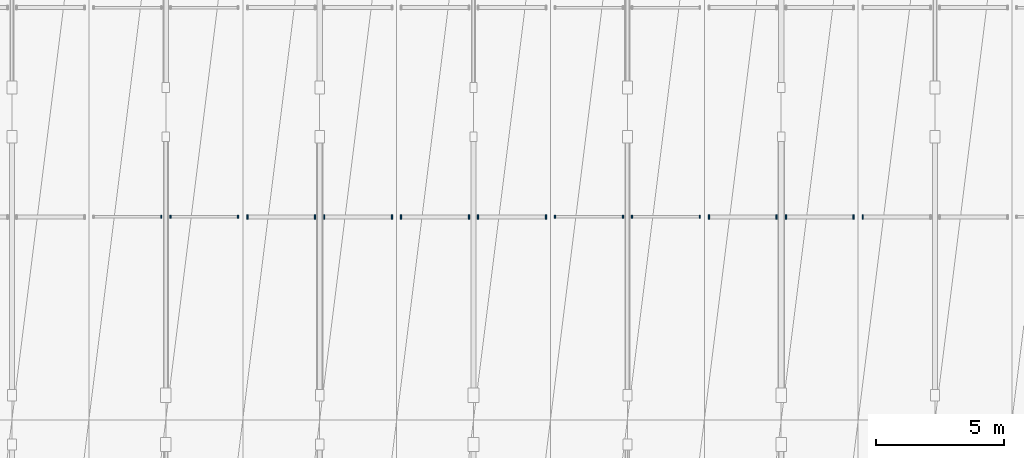
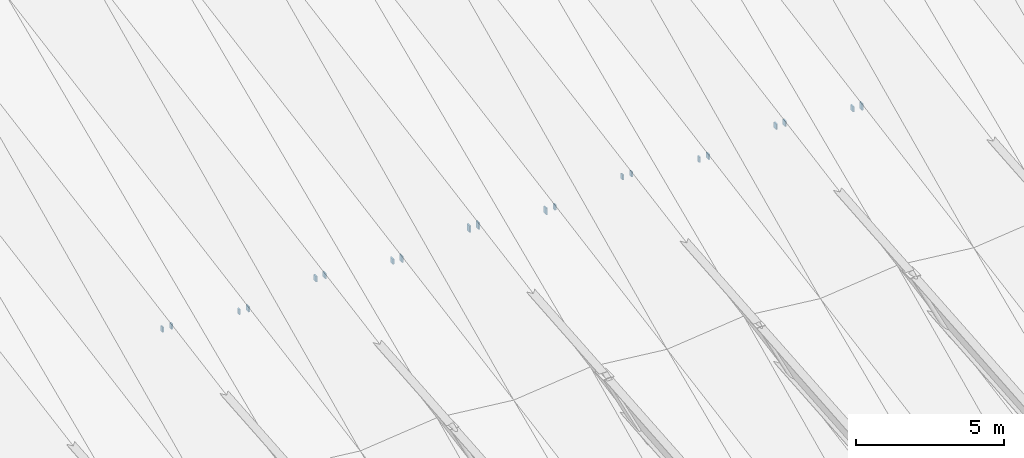
# One storey, part 42 of 52: 20 discrete accessories.
"""IFC4 building model written with IfcOpenShell, lengths in metres."""

import ifcopenshell
import ifcopenshell.guid

model = None  # the IFC model being written
_history = None  # IfcOwnerHistory: only IFC2X3 demands one
_inside = {}  # id of a spatial element -> (the spatial element, [elements in it])
_under = {}  # id of a project, library or spatial element -> (it, [spatial elements below it])
_declared = {}  # id of a project -> (the project, [libraries it declares])
_typed = {}  # id of a type object -> (the type object, [elements of that type])
_made_of = {}  # id of a material, layer set ... -> (it, [elements and type objects made of it])


def new_model(schema):
    """Start an empty IFC model of exactly this schema.

    Asked for "IFC4X3", IfcOpenShell would pick the latest addendum, in which some entities
    have other attributes; the version numbers below select the first issue.
    IFC2X3 requires an IfcOwnerHistory on every rooted entity: one is made here for all.
    """
    global model, _history
    if schema == "IFC4X3":
        model = ifcopenshell.file(schema_version=(4, 3, 0, 0))
    else:
        model = ifcopenshell.file(schema=schema)
    _inside.clear()
    _under.clear()
    _declared.clear()
    _typed.clear()
    _made_of.clear()
    _history = None
    if model.schema == "IFC2X3":
        org = make("IfcOrganization", Name="unknown")
        user = make(
            "IfcPersonAndOrganization",
            ThePerson=make("IfcPerson", FamilyName="unknown"),
            TheOrganization=org,
        )
        app = make(
            "IfcApplication",
            ApplicationDeveloper=org,
            Version="unknown",
            ApplicationFullName="unknown",
            ApplicationIdentifier="unknown",
        )
        _history = make(
            "IfcOwnerHistory",
            OwningUser=user,
            OwningApplication=app,
            ChangeAction="ADDED",
            CreationDate=0,
        )
    return model


def make(cls, **values):
    """One entity of the class cls with the attributes given. An attribute that is None is left unset."""
    return model.create_entity(
        cls, **{name: value for name, value in values.items() if value is not None}
    )


def rooted(cls, **values):
    """An entity with a GlobalId (a new one), such as an element, a storey or a relation."""
    return make(cls, GlobalId=ifcopenshell.guid.new(), OwnerHistory=_history, **values)


def si_unit(unit_type, name, prefix=None):
    """IfcSIUnit, for example si_unit("LENGTHUNIT", "METRE", prefix="MILLI")."""
    return make("IfcSIUnit", UnitType=unit_type, Prefix=prefix, Name=name)


def assignment(units):
    """IfcUnitAssignment: the units of a project."""
    return None if units is None else make("IfcUnitAssignment", Units=units)


def point(xyz):
    """IfcCartesianPoint."""
    return None if xyz is None else make("IfcCartesianPoint", Coordinates=xyz)


def direction(xyz):
    """IfcDirection."""
    return None if xyz is None else make("IfcDirection", DirectionRatios=xyz)


def frame(location, z_axis=None, x_axis=None):
    """IfcAxis2Placement3D, a coordinate frame: its origin and axes. An axis left out is left unset."""
    return make(
        "IfcAxis2Placement3D",
        Location=point(location),
        Axis=direction(z_axis),
        RefDirection=direction(x_axis),
    )


def frame_2d(location, x_axis=None):
    """IfcAxis2Placement2D, a coordinate frame in the plane: its origin and x axis."""
    return make(
        "IfcAxis2Placement2D", Location=point(location), RefDirection=direction(x_axis)
    )


def origin():
    """The frame at (0, 0, 0) with its axes left unset."""
    return frame((0.0, 0.0, 0.0))


def origin_2d():
    """The frame at (0, 0) in the plane with its x axis left unset."""
    return frame_2d((0.0, 0.0))


def place(relative_to, where):
    """IfcLocalPlacement: puts the frame where relative to a parent placement (None: the world)."""
    return make(
        "IfcLocalPlacement", PlacementRelTo=relative_to, RelativePlacement=where
    )


def context(
    kind, dimensions, precision=None, world=None, true_north=None, identifier=None
):
    """IfcGeometricRepresentationContext, for example the 3D "Model" context."""
    return make(
        "IfcGeometricRepresentationContext",
        ContextIdentifier=identifier,
        ContextType=kind,
        CoordinateSpaceDimension=dimensions,
        Precision=precision,
        WorldCoordinateSystem=world,
        TrueNorth=true_north,
    )


def subcontext(parent, identifier, kind, view, scale=None):
    """IfcGeometricRepresentationSubContext, for example "Body" below "Model"."""
    return make(
        "IfcGeometricRepresentationSubContext",
        ContextIdentifier=identifier,
        ContextType=kind,
        ParentContext=parent,
        TargetScale=scale,
        TargetView=view,
    )


def project(units=None, contexts=None):
    """IfcProject with its units and contexts."""
    return rooted(
        "IfcProject",
        Name="project",
        RepresentationContexts=contexts,
        UnitsInContext=assignment(units),
    )


def spatial(cls, under=None, at=None, **own):
    """A site, building, storey or space (cls), placed at a placement, below another one or the project."""
    s = rooted(cls, ObjectPlacement=at, **own)
    if under is not None:
        _under.setdefault(under.id(), (under, []))[1].append(s)
    return s


def profile(cls, at=None, kind="AREA", **sizes):
    """A parametric profile (cls). Its sizes go by their IFC names, for example OverallWidth=200.0."""
    return make(cls, ProfileType=kind, Position=at, **sizes)


def rectangle(**sizes):
    """IfcRectangleProfileDef."""
    return profile("IfcRectangleProfileDef", **sizes)


def extrude(swept, where, along, depth):
    """IfcExtrudedAreaSolid: the profile swept, set in the frame where, extruded along a direction by depth."""
    return make(
        "IfcExtrudedAreaSolid",
        SweptArea=swept,
        Position=where,
        ExtrudedDirection=direction(along),
        Depth=depth,
    )


def shape(context_of_items, identifier, shape_type, items):
    """IfcShapeRepresentation: the items that make up one representation, for example the "Body"."""
    return make(
        "IfcShapeRepresentation",
        ContextOfItems=context_of_items,
        RepresentationIdentifier=identifier,
        RepresentationType=shape_type,
        Items=items,
    )


def material(Name=None, Category=None):
    """IfcMaterial."""
    return make("IfcMaterial", Name=Name, Category=Category)


def layer(
    of_material, thickness, ventilated=None, Name=None, Category=None, Priority=None
):
    """IfcMaterialLayer: one layer of a wall or slab, of a material (None: an air gap)."""
    return make(
        "IfcMaterialLayer",
        Material=of_material,
        LayerThickness=thickness,
        IsVentilated=ventilated,
        Name=Name,
        Category=Category,
        Priority=Priority,
    )


def layer_set(layers, Name=None):
    """IfcMaterialLayerSet."""
    return make("IfcMaterialLayerSet", MaterialLayers=layers, LayerSetName=Name)


def made_of(thing, what):
    """Note that an element or type object is made of a material, layer set ...; save() writes the relation."""
    if what is not None:
        _made_of.setdefault(what.id(), (what, []))[1].append(thing)
    return thing


def type_object(cls, material=None, **own):
    """A type object (cls), such as IfcWallType, which elements share."""
    return made_of(rooted(cls, **own), material)


def element(
    cls,
    number,
    at=None,
    inside=None,
    cuts=None,
    type_object=None,
    material=None,
    context=None,
    identifier="Body",
    shape_type=None,
    held_by="IfcProductDefinitionShape",
    body=None,
    shapes=None,
    **own,
):
    """One element of the class cls, such as IfcWall. Its Tag is "e" and its number.

    at: its placement. inside: the storey or other place that contains it. cuts: it is an
    opening in that element (IfcRelVoidsElement). A single representation is given by context,
    identifier, shape_type and body (its items); several are given by shapes. held_by: the class
    of the entity that holds the representations. save() writes the other relations.
    """
    e = rooted(cls, Tag="e%d" % number, ObjectPlacement=at, **own)
    if body is not None:
        shapes = [shape(context, identifier, shape_type, body)]
    if shapes is not None:
        e.Representation = make(held_by, Representations=shapes)
    if inside is not None:
        _inside.setdefault(inside.id(), (inside, []))[1].append(e)
    if cuts is not None:
        rooted(
            "IfcRelVoidsElement", RelatingBuildingElement=cuts, RelatedOpeningElement=e
        )
    if type_object is not None:
        _typed.setdefault(type_object.id(), (type_object, []))[1].append(e)
    return made_of(e, material)


def aggregate(whole, parts):
    """IfcRelAggregates: a whole, such as a stair, and the parts it consists of."""
    return rooted("IfcRelAggregates", RelatingObject=whole, RelatedObjects=parts)


def save(model, path):
    """Write the relations noted so far, then the file.

    IfcRelAggregates (storeys below a building ...), IfcRelContainedInSpatialStructure (elements
    in a storey), IfcRelDefinesByType, IfcRelAssociatesMaterial and IfcRelDeclares: one each for
    every whole, place, type object, material and project.
    """
    for whole, parts in _under.values():
        aggregate(whole, parts)
    for where, things in _inside.values():
        rooted(
            "IfcRelContainedInSpatialStructure",
            RelatedElements=things,
            RelatingStructure=where,
        )
    for kind, things in _typed.values():
        rooted("IfcRelDefinesByType", RelatedObjects=things, RelatingType=kind)
    for what, things in _made_of.values():
        rooted("IfcRelAssociatesMaterial", RelatedObjects=things, RelatingMaterial=what)
    for by, libraries in _declared.values():
        rooted("IfcRelDeclares", RelatingContext=by, RelatedDefinitions=libraries)
    model.write(path)


model = new_model("IFC4")

# Units and contexts
model_context = context("Model", 3, precision=1e-05, world=origin(), true_north=direction((0.0, 1.0)))
body_context = subcontext(model_context, "Body", "Model", "MODEL_VIEW")
ifc_project = project(units=[si_unit("LENGTHUNIT", "METRE"), si_unit("AREAUNIT", "SQUARE_METRE"), si_unit("VOLUMEUNIT", "CUBIC_METRE"), si_unit("PLANEANGLEUNIT", "RADIAN"), si_unit("MASSUNIT", "GRAM", prefix="KILO")], contexts=[model_context])

# Site, building, storey
site_placement = place(None, origin())
site = spatial("IfcSite", under=ifc_project, at=site_placement, CompositionType="ELEMENT")
building_placement = place(site_placement, origin())
building = spatial("IfcBuilding", under=site, at=building_placement, Name="Vaelkrest Opera House", CompositionType="ELEMENT")
storey_placement = place(building_placement, frame((0.0, 0.0, 41.39990234375)))
storey = spatial("IfcBuildingStorey", under=building, at=storey_placement, Name="ROOF", CompositionType="ELEMENT", Elevation=41.39990234375)

# Discrete accessories
ifc_material = material(Name="Steel A572 Gr50", Category="steel")
ifc_layer = layer(ifc_material, 0.320068359375)
ifc_layer_set = layer_set([ifc_layer], Name="Steel A572 Gr50")
discrete_accessory_type = type_object("IfcDiscreteAccessoryType", Name="ECP01", PredefinedType="USERDEFINED", material=ifc_layer_set)
for number, where, z_axis, x_axis, name in (
    (1, (-21.177490234375, 0.1201171875, -6.3671875), (0.0, 0.0, 1.0), (1.0, 0.0, 0.0), "Purlin HSS end cap plate V1-02-S3-33-W1"),
    (2, (-20.822509765625, 0.1201171875, -6.3671875), (0.0, 0.0, 1.0), (1.0, 0.0, 0.0), "Purlin HSS end cap plate V1-02-S3-33-E0"),
    (3, (-18.177490234375, 0.1201171875, -6.69140625), (0.0, 0.0, 1.0), (1.0, 0.0, 0.0), "Purlin HSS end cap plate V1-02-S3-33-E1"),
):
    element("IfcDiscreteAccessory", number, at=place(storey_placement, frame(where, z_axis=z_axis, x_axis=x_axis)), inside=storey, type_object=discrete_accessory_type, Name=name, ObjectType="CAP PLATE", PredefinedType="USERDEFINED", context=body_context, shape_type="SweptSolid", body=[
        extrude(rectangle(XDim=0.054931640625, YDim=0.1259765625, at=origin_2d()), origin(), (0.0, 0.0, 1.0), 0.218994140625),
    ])
for number, where, z_axis, x_axis, name in (
    (4, (-17.822509765625, 0.1201171875, -6.69140625), (0.0, 0.0, 1.0), (1.0, 0.0, 0.0), "Purlin HSS end cap plate V1-03-S3-33-W0"),
    (5, (-15.177490234375, 0.1201171875, -6.3671875), (0.0, 0.0, 1.0), (1.0, 0.0, 0.0), "Purlin HSS end cap plate V1-03-S3-33-W1"),
    (6, (-14.822509765625, 0.1201171875, -6.3671875), (0.0, 0.0, 1.0), (1.0, 0.0, 0.0), "Purlin HSS end cap plate V1-03-S3-33-E0"),
    (7, (-12.177490234375, 0.1201171875, -6.69140625), (0.0, 0.0, 1.0), (1.0, 0.0, 0.0), "Purlin HSS end cap plate V1-03-S3-33-E1"),
):
    element("IfcDiscreteAccessory", number, at=place(storey_placement, frame(where, z_axis=z_axis, x_axis=x_axis)), inside=storey, type_object=discrete_accessory_type, Name=name, ObjectType="CAP PLATE", PredefinedType="USERDEFINED", context=body_context, shape_type="SweptSolid", body=[
        extrude(rectangle(XDim=0.054931640625, YDim=0.176025390625, at=origin_2d()), origin(), (0.0, 0.0, 1.0), 0.218994140625),
    ])
for number, where, z_axis, x_axis, name in (
    (8, (-11.822509765625, 0.1201171875, -6.741943359375), (0.0, 0.0, 1.0), (1.0, 0.0, 0.0), "Purlin HSS end cap plate V1-04-S3-33-W0"),
    (9, (-9.177490234375, 0.1201171875, -6.41796875), (0.0, 0.0, 1.0), (1.0, 0.0, 0.0), "Purlin HSS end cap plate V1-04-S3-33-W1"),
    (10, (-8.822509765625, 0.1201171875, -6.41796875), (0.0, 0.0, 1.0), (1.0, 0.0, 0.0), "Purlin HSS end cap plate V1-04-S3-33-E0"),
    (11, (-6.177490234375, 0.1201171875, -6.741943359375), (0.0, 0.0, 1.0), (1.0, 0.0, 0.0), "Purlin HSS end cap plate V1-04-S3-33-E1"),
):
    element("IfcDiscreteAccessory", number, at=place(storey_placement, frame(where, z_axis=z_axis, x_axis=x_axis)), inside=storey, type_object=discrete_accessory_type, Name=name, ObjectType="CAP PLATE", PredefinedType="USERDEFINED", context=body_context, shape_type="SweptSolid", body=[
        extrude(rectangle(XDim=0.054931640625, YDim=0.176025390625, at=origin_2d()), origin(), (0.0, 0.0, 1.0), 0.27001953125),
    ])
for number, where, z_axis, x_axis, name in (
    (12, (-5.822509765625, 0.1201171875, -6.69140625), (0.0, 0.0, 1.0), (1.0, 0.0, 0.0), "Purlin HSS end cap plate V1-05-S3-33-W0"),
    (13, (-3.177490234375, 0.1201171875, -6.3671875), (0.0, 0.0, 1.0), (1.0, 0.0, 0.0), "Purlin HSS end cap plate V1-05-S3-33-W1"),
    (14, (-2.822509765625, 0.1201171875, -6.3671875), (0.0, 0.0, 1.0), (1.0, 0.0, 0.0), "Purlin HSS end cap plate V1-05-S3-33-E0"),
    (15, (-0.177490234375, 0.1201171875, -6.69140625), (0.0, 0.0, 1.0), (1.0, 0.0, 0.0), "Purlin HSS end cap plate V1-05-S3-33-E1"),
):
    element("IfcDiscreteAccessory", number, at=place(storey_placement, frame(where, z_axis=z_axis, x_axis=x_axis)), inside=storey, type_object=discrete_accessory_type, Name=name, ObjectType="CAP PLATE", PredefinedType="USERDEFINED", context=body_context, shape_type="SweptSolid", body=[
        extrude(rectangle(XDim=0.054931640625, YDim=0.1259765625, at=origin_2d()), origin(), (0.0, 0.0, 1.0), 0.218994140625),
    ])
for number, where, z_axis, x_axis, name in (
    (16, (0.177490234375, 0.1201171875, -6.69140625), (0.0, 0.0, 1.0), (1.0, 0.0, 0.0), "Purlin HSS end cap plate V1-06-S3-33-W0"),
    (17, (2.822509765625, 0.1201171875, -6.3671875), (0.0, 0.0, 1.0), (1.0, 0.0, 0.0), "Purlin HSS end cap plate V1-06-S3-33-W1"),
    (18, (3.177490234375, 0.1201171875, -6.3671875), (0.0, 0.0, 1.0), (1.0, 0.0, 0.0), "Purlin HSS end cap plate V1-06-S3-33-E0"),
    (19, (5.822509765625, 0.1201171875, -6.69140625), (0.0, 0.0, 1.0), (1.0, 0.0, 0.0), "Purlin HSS end cap plate V1-06-S3-33-E1"),
):
    element("IfcDiscreteAccessory", number, at=place(storey_placement, frame(where, z_axis=z_axis, x_axis=x_axis)), inside=storey, type_object=discrete_accessory_type, Name=name, ObjectType="CAP PLATE", PredefinedType="USERDEFINED", context=body_context, shape_type="SweptSolid", body=[
        extrude(rectangle(XDim=0.054931640625, YDim=0.176025390625, at=origin_2d()), origin(), (0.0, 0.0, 1.0), 0.218994140625),
    ])
discrete_accessory_placement = place(storey_placement, frame((6.177490234375, 0.1201171875, -6.741943359375), z_axis=(0.0, 0.0, 1.0), x_axis=(1.0, 0.0, 0.0)))
element("IfcDiscreteAccessory", 20, at=discrete_accessory_placement, inside=storey, type_object=discrete_accessory_type, Name="Purlin HSS end cap plate V1-07-S3-33-W0", ObjectType="CAP PLATE", PredefinedType="USERDEFINED", context=body_context, shape_type="SweptSolid", body=[
    extrude(rectangle(XDim=0.054931640625, YDim=0.176025390625, at=origin_2d()), origin(), (0.0, 0.0, 1.0), 0.27001953125),
])

save(model, "model.ifc")
